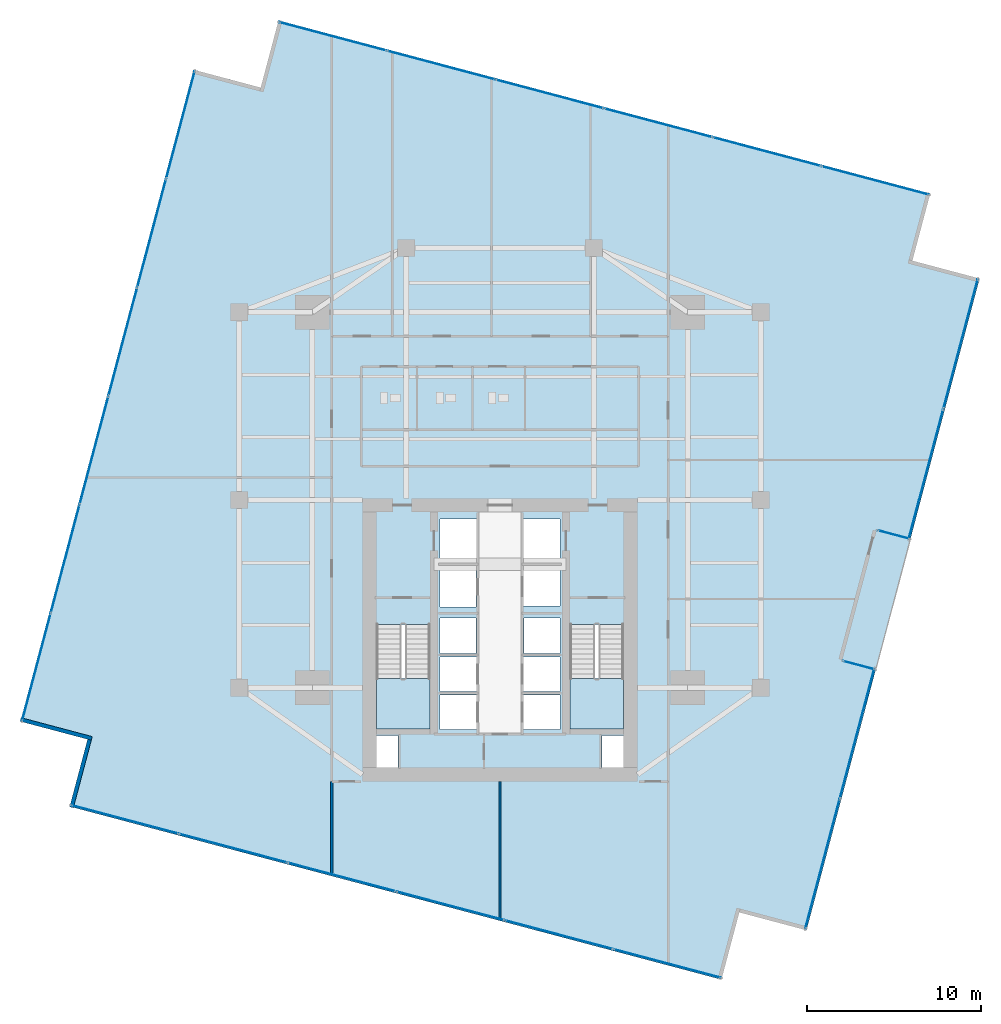
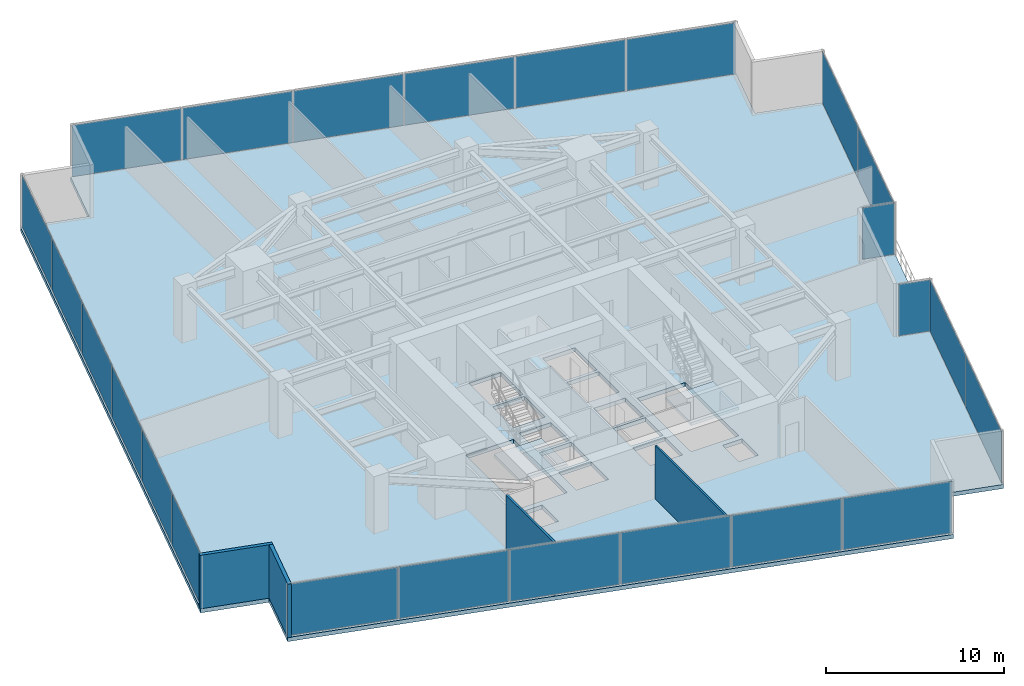
# One storey, part 22 of 27: 24 plates, 4 walls, 3 slabs, 9 elements without a shape of their own.
"""IFC4 building model written with IfcOpenShell, lengths in metres."""

from ifc_helpers import new_model, si_unit, direction, frame, frame_2d, origin, origin_2d, place, context, subcontext, project, spatial, polyline, rectangle, outline, extrude, source, transform, mapped, material, layer, layer_set, type_object, type_shapes, element, aggregate, save


model = new_model("IFC4")

# Units and contexts
model_context = context("Model", 3, precision=1e-05, world=origin(), true_north=direction((0.0, 1.0)))
body_context = subcontext(model_context, "Body", "Model", "MODEL_VIEW")
ifc_project = project(units=[si_unit("LENGTHUNIT", "METRE"), si_unit("AREAUNIT", "SQUARE_METRE"), si_unit("VOLUMEUNIT", "CUBIC_METRE"), si_unit("PLANEANGLEUNIT", "RADIAN"), si_unit("MASSUNIT", "GRAM", prefix="KILO")], contexts=[model_context])

# Site, building, storey
site_placement = place(None, origin())
site = spatial("IfcSite", under=ifc_project, at=site_placement, CompositionType="ELEMENT")
building_placement = place(site_placement, origin())
building = spatial("IfcBuilding", under=site, at=building_placement, Name="Krantzveldt Concourse Tower", CompositionType="ELEMENT")
storey_placement = place(building_placement, frame((0.0, 0.0, 101.89990234375)))
storey = spatial("IfcBuildingStorey", under=building, at=storey_placement, Name="L24", CompositionType="ELEMENT", Elevation=101.89990234375)

# Stair, slab
ifc_material_1 = material(Name="Precast concrete C40/50", Category="concrete")
stair_type = type_object("IfcStairType", Name="STR-CORE-DOGLEG", PredefinedType="HALF_TURN_STAIR", material=ifc_material_1)
stair_1_placement = place(storey_placement, origin())
stair_1 = element("IfcStair", 1, at=stair_1_placement, inside=storey, type_object=stair_type, Name="L24 Protected Escape Stair ST-1", PredefinedType="HALF_TURN_STAIR")
ifc_layer_1 = layer(ifc_material_1, 0.199951171875, Name="Precast concrete C40/50", Category="concrete")
ifc_layer_set_1 = layer_set([ifc_layer_1], Name="Precast concrete C40/50 (SL-LANDING-200)")
slab_type_1 = type_object("IfcSlabType", Name="SL-LANDING-200", PredefinedType="LANDING", material=ifc_layer_set_1)
slab_1_placement = place(storey_placement, frame((0.0, 0.0, 1.775146484375)))
slab_1 = element("IfcSlab", 2, at=slab_1_placement, type_object=slab_type_1, Name="ST-1 landing 1", PredefinedType="LANDING", context=body_context, shape_type="SweptSolid", body=[
    extrude(outline(polyline([(28.8798828125, 16.4150390625), (28.8798828125, 13.52001953125), (31.97998046875, 13.52001953125), (31.97998046875, 16.4150390625), (28.8798828125, 16.4150390625)])), origin(), (0.0, 0.0, 1.0), 0.199951171875),
])
aggregate(stair_1, [slab_1])

stair_2_placement = place(storey_placement, origin())
stair_2 = element("IfcStair", 3, at=stair_2_placement, inside=storey, type_object=stair_type, Name="L24 Protected Escape Stair ST-2", PredefinedType="HALF_TURN_STAIR")
slab_2_placement = place(storey_placement, frame((0.0, 0.0, 1.775146484375)))
slab_2 = element("IfcSlab", 4, at=slab_2_placement, type_object=slab_type_1, Name="ST-2 landing 1", PredefinedType="LANDING", context=body_context, shape_type="SweptSolid", body=[
    extrude(outline(polyline([(40.02001953125, 16.4150390625), (40.02001953125, 13.52001953125), (43.1201171875, 13.52001953125), (43.1201171875, 16.4150390625), (40.02001953125, 16.4150390625)])), origin(), (0.0, 0.0, 1.0), 0.199951171875),
])
aggregate(stair_2, [slab_2])

# Slab
ifc_material_2 = material(Name="Concrete C40/50", Category="concrete")
ifc_layer_2 = layer(ifc_material_2, 0.280029296875, Name="Concrete C40/50", Category="concrete")
ifc_layer_set_2 = layer_set([ifc_layer_2], Name="Concrete C40/50 (SL-SL-TER280)")
slab_type_2 = type_object("IfcSlabType", Name="SL-SL-TER280", PredefinedType="FLOOR", material=ifc_layer_set_2)
slab_3_placement = place(storey_placement, frame((0.0, 0.0, -0.27978515625)))
element("IfcSlab", 5, at=slab_3_placement, inside=storey, type_object=slab_type_2, Name="SL-L24-MAIN", PredefinedType="FLOOR", context=body_context, shape_type="SweptSolid", body=[
    extrude(outline(polyline([(22.230224609375, 50.43017578125), (18.3642578125, 51.45703125), (8.404052734375, 13.957275390625), (12.27001953125, 12.930419921875), (11.2431640625, 9.064453125), (48.742919921875, -0.89599609375), (49.769775390625, 2.969970703125), (53.6357421875, 1.943115234375), (63.595947265625, 39.44287109375), (59.72998046875, 40.4697265625), (60.7568359375, 44.335693359375), (23.257080078125, 54.2958984375), (22.230224609375, 50.43017578125)]), holes=[polyline([(28.8798828125, 19.547607421875), (28.8798828125, 13.52001953125), (31.97998046875, 13.52001953125), (31.97998046875, 19.547607421875), (28.8798828125, 19.547607421875)]), polyline([(40.02001953125, 19.547607421875), (40.02001953125, 13.52001953125), (43.1201171875, 13.52001953125), (43.1201171875, 19.547607421875), (40.02001953125, 19.547607421875)]), polyline([(32.550048828125, 23.10009765625), (34.64990234375, 23.10009765625), (34.64990234375, 25.60009765625), (32.550048828125, 25.60009765625), (32.550048828125, 23.10009765625)]), polyline([(37.35009765625, 23.10009765625), (39.449951171875, 23.10009765625), (39.449951171875, 25.60009765625), (37.35009765625, 25.60009765625), (37.35009765625, 23.10009765625)]), polyline([(37.35009765625, 20.60009765625), (39.449951171875, 20.60009765625), (39.449951171875, 22.89990234375), (37.35009765625, 22.89990234375), (37.35009765625, 20.60009765625)]), polyline([(32.550048828125, 13.47998046875), (34.64990234375, 13.47998046875), (34.64990234375, 15.47998046875), (32.550048828125, 15.47998046875), (32.550048828125, 13.47998046875)]), polyline([(32.550048828125, 15.679931640625), (34.64990234375, 15.679931640625), (34.64990234375, 17.679931640625), (32.550048828125, 17.679931640625), (32.550048828125, 15.679931640625)]), polyline([(37.35009765625, 13.47998046875), (39.449951171875, 13.47998046875), (39.449951171875, 15.47998046875), (37.35009765625, 15.47998046875), (37.35009765625, 13.47998046875)]), polyline([(37.35009765625, 15.679931640625), (39.449951171875, 15.679931640625), (39.449951171875, 17.679931640625), (37.35009765625, 17.679931640625), (37.35009765625, 15.679931640625)]), polyline([(32.550048828125, 20.550048828125), (34.6201171875, 20.550048828125), (34.6201171875, 22.89990234375), (32.550048828125, 22.89990234375), (32.550048828125, 20.550048828125)]), polyline([(32.550048828125, 17.8798828125), (34.6201171875, 17.8798828125), (34.6201171875, 19.919921875), (32.550048828125, 19.919921875), (32.550048828125, 17.8798828125)]), polyline([(37.3798828125, 17.8798828125), (39.449951171875, 17.8798828125), (39.449951171875, 19.919921875), (37.3798828125, 19.919921875), (37.3798828125, 17.8798828125)]), polyline([(28.8798828125, 11.320068359375), (30.139892578125, 11.320068359375), (30.139892578125, 13.159912109375), (28.8798828125, 13.159912109375), (28.8798828125, 11.320068359375)]), polyline([(41.860107421875, 11.320068359375), (43.1201171875, 11.320068359375), (43.1201171875, 13.159912109375), (41.860107421875, 13.159912109375), (41.860107421875, 11.320068359375)])]), origin(), (0.0, 0.0, 1.0), 0.27978515625),
])

# Curtain wall, plate
ifc_material_3 = material(Name="Anodised aluminium 6063-T6", Category="aluminium")
curtain_wall_type_1 = type_object("IfcCurtainWallType", Name="CW6", PredefinedType="USERDEFINED", material=ifc_material_3)
curtain_wall_1_placement = place(storey_placement, origin())
curtain_wall_1 = element("IfcCurtainWall", 6, at=curtain_wall_1_placement, inside=storey, type_object=curtain_wall_type_1, Name="CW-L24-TR08", ObjectType="UNITISED CURTAIN WALL", PredefinedType="USERDEFINED")
ifc_material_4 = material(Name="Bronze-tinted laminated low-E IGU glass", Category="glass")
ifc_layer_3 = layer(ifc_material_4, 0.031982421875, Name="Bronze-tinted laminated low-E IGU glass", Category="glass")
ifc_layer_set_3 = layer_set([ifc_layer_3], Name="Bronze-tinted laminated low-E IGU glass (CW-GLZ-32)")
plate_type = type_object("IfcPlateType", Name="CW-GLZ-32", PredefinedType="CURTAIN_PANEL", material=ifc_layer_set_3)
shared_shape_1 = source(origin(), body_context, "Body", "SweptSolid", [
    extrude(rectangle(XDim=1.860107421875, YDim=0.031982421875, at=origin_2d()), origin(), (0.0, 0.0, 1.0), 3.530029296875),
])
plate_1_placement = place(storey_placement, frame((56.650634765625, 17.18994140625, 0.0703125), z_axis=(0.0, 0.0, 1.0), x_axis=(-0.96648733669, 0.256714292587, 0.0)))
plate_1 = element("IfcPlate", 7, at=plate_1_placement, type_object=plate_type, Name="CW-TERR panel 1.1", PredefinedType="CURTAIN_PANEL", context=body_context, shape_type="MappedRepresentation", body=[
    mapped(shared_shape_1, transform((0.0, 0.0, 0.0), x_axis=(1.0, 0.0, 0.0), y_axis=(0.0, 1.0, 0.0), z_axis=(0.0, 0.0, 1.0), scale=1.0)),
])
aggregate(curtain_wall_1, [plate_1])

curtain_wall_2_placement = place(storey_placement, origin())
curtain_wall_2 = element("IfcCurtainWall", 8, at=curtain_wall_2_placement, inside=storey, type_object=curtain_wall_type_1, Name="CW-L24-TR10", ObjectType="UNITISED CURTAIN WALL", PredefinedType="USERDEFINED")
plate_2_placement = place(storey_placement, frame((58.64794921875, 24.709228515625, 0.0703125), z_axis=(0.0, 0.0, 1.0), x_axis=(0.966488577233, -0.256709622099, 0.0)))
plate_2 = element("IfcPlate", 9, at=plate_2_placement, type_object=plate_type, Name="CW-TERR panel 1.1", PredefinedType="CURTAIN_PANEL", context=body_context, shape_type="MappedRepresentation", body=[
    mapped(shared_shape_1, transform((0.0, 0.0, 0.0), x_axis=(1.0, 0.0, 0.0), y_axis=(0.0, 1.0, 0.0), z_axis=(0.0, 0.0, 1.0), scale=1.0)),
])
aggregate(curtain_wall_2, [plate_2])

# Curtain wall, plates
curtain_wall_type_2 = type_object("IfcCurtainWallType", Name="CW2", PredefinedType="USERDEFINED", material=ifc_material_3)
curtain_wall_3_placement = place(storey_placement, origin())
curtain_wall_3 = element("IfcCurtainWall", 10, at=curtain_wall_3_placement, inside=storey, type_object=curtain_wall_type_2, Name="CW-L24-F01", ObjectType="UNITISED CURTAIN WALL", PredefinedType="USERDEFINED")
shared_shape_2 = source(origin(), body_context, "Body", "SweptSolid", [
    extrude(rectangle(XDim=6.361572265625, YDim=0.031982421875, at=origin_2d()), origin(), (0.0, 0.0, 1.0), 3.530029296875),
])
plate_3_placement = place(storey_placement, frame((17.616943359375, 48.2919921875, 0.0703125), z_axis=(0.0, 0.0, 1.0), x_axis=(-0.256711093648, -0.966488186373, 0.0)))
plate_3 = element("IfcPlate", 11, at=plate_3_placement, type_object=plate_type, Name="CW-Z12 panel 1.1", PredefinedType="CURTAIN_PANEL", context=body_context, shape_type="MappedRepresentation", body=[
    mapped(shared_shape_2, transform((0.0, 0.0, 0.0), x_axis=(1.0, 0.0, 0.0), y_axis=(0.0, 1.0, 0.0), z_axis=(0.0, 0.0, 1.0), scale=1.0)),
])
plate_4_placement = place(storey_placement, frame((9.325439453125, 17.075927734375, 0.0703125), z_axis=(0.0, 0.0, 1.0), x_axis=(-0.256711093648, -0.966488186373, 0.0)))
plate_4 = element("IfcPlate", 12, at=plate_4_placement, type_object=plate_type, Name="CW-Z12 panel 6.1", PredefinedType="CURTAIN_PANEL", context=body_context, shape_type="MappedRepresentation", body=[
    mapped(shared_shape_2, transform((0.0, 0.0, 0.0), x_axis=(1.0, 0.0, 0.0), y_axis=(0.0, 1.0, 0.0), z_axis=(0.0, 0.0, 1.0), scale=1.0)),
])

curtain_wall_4_placement = place(storey_placement, origin())
curtain_wall_4 = element("IfcCurtainWall", 13, at=curtain_wall_4_placement, inside=storey, type_object=curtain_wall_type_2, Name="CW-L24-F04", ObjectType="UNITISED CURTAIN WALL", PredefinedType="USERDEFINED")
plate_5_placement = place(storey_placement, frame((14.408203125, 8.31689453125, 0.0703125), z_axis=(0.0, 0.0, 1.0), x_axis=(0.966488186373, -0.256711093648, 0.0)))
plate_5 = element("IfcPlate", 14, at=plate_5_placement, type_object=plate_type, Name="CW-Z12 panel 1.1", PredefinedType="CURTAIN_PANEL", context=body_context, shape_type="MappedRepresentation", body=[
    mapped(shared_shape_2, transform((0.0, 0.0, 0.0), x_axis=(1.0, 0.0, 0.0), y_axis=(0.0, 1.0, 0.0), z_axis=(0.0, 0.0, 1.0), scale=1.0)),
])
plate_6_placement = place(storey_placement, frame((45.6240234375, 0.025390625, 0.0703125), z_axis=(0.0, 0.0, 1.0), x_axis=(0.966488186373, -0.256711093648, 0.0)))
plate_6 = element("IfcPlate", 15, at=plate_6_placement, type_object=plate_type, Name="CW-Z12 panel 6.1", PredefinedType="CURTAIN_PANEL", context=body_context, shape_type="MappedRepresentation", body=[
    mapped(shared_shape_2, transform((0.0, 0.0, 0.0), x_axis=(1.0, 0.0, 0.0), y_axis=(0.0, 1.0, 0.0), z_axis=(0.0, 0.0, 1.0), scale=1.0)),
])

curtain_wall_5_placement = place(storey_placement, origin())
curtain_wall_5 = element("IfcCurtainWall", 16, at=curtain_wall_5_placement, inside=storey, type_object=curtain_wall_type_2, Name="CW-L24-F14", ObjectType="UNITISED CURTAIN WALL", PredefinedType="USERDEFINED")
plate_7_placement = place(storey_placement, frame((57.591796875, 45.083251953125, 0.0703125), z_axis=(0.0, 0.0, 1.0), x_axis=(-0.966488186373, 0.256711093648, 0.0)))
plate_7 = element("IfcPlate", 17, at=plate_7_placement, type_object=plate_type, Name="CW-Z12 panel 1.1", PredefinedType="CURTAIN_PANEL", context=body_context, shape_type="MappedRepresentation", body=[
    mapped(shared_shape_2, transform((0.0, 0.0, 0.0), x_axis=(1.0, 0.0, 0.0), y_axis=(0.0, 1.0, 0.0), z_axis=(0.0, 0.0, 1.0), scale=1.0)),
])
plate_8_placement = place(storey_placement, frame((26.3759765625, 53.37451171875, 0.0703125), z_axis=(0.0, 0.0, 1.0), x_axis=(-0.966488186373, 0.256711093648, 0.0)))
plate_8 = element("IfcPlate", 18, at=plate_8_placement, type_object=plate_type, Name="CW-Z12 panel 6.1", PredefinedType="CURTAIN_PANEL", context=body_context, shape_type="MappedRepresentation", body=[
    mapped(shared_shape_2, transform((0.0, 0.0, 0.0), x_axis=(1.0, 0.0, 0.0), y_axis=(0.0, 1.0, 0.0), z_axis=(0.0, 0.0, 1.0), scale=1.0)),
])

# Plate
shared_shape_3 = source(origin(), body_context, "Body", "SweptSolid", [
    extrude(rectangle(XDim=6.396728515625, YDim=0.031982421875, at=origin_2d()), origin(), (0.0, 0.0, 1.0), 3.530029296875),
])
plate_9_placement = place(storey_placement, frame((15.961181640625, 42.058837890625, 0.0703125), z_axis=(0.0, 0.0, 1.0), x_axis=(-0.256711093648, -0.966488186373, 0.0)))
plate_9 = element("IfcPlate", 19, at=plate_9_placement, type_object=plate_type, Name="CW-Z12 panel 2.1", PredefinedType="CURTAIN_PANEL", context=body_context, shape_type="MappedRepresentation", body=[
    mapped(shared_shape_3, transform((0.0, 0.0, 0.0), x_axis=(1.0, 0.0, 0.0), y_axis=(0.0, 1.0, 0.0), z_axis=(0.0, 0.0, 1.0), scale=1.0)),
])

plate_10_placement = place(storey_placement, frame((14.30126953125, 35.808837890625, 0.0703125), z_axis=(0.0, 0.0, 1.0), x_axis=(-0.256711093648, -0.966488186373, 0.0)))
plate_10 = element("IfcPlate", 20, at=plate_10_placement, type_object=plate_type, Name="CW-Z12 panel 3.1", PredefinedType="CURTAIN_PANEL", context=body_context, shape_type="MappedRepresentation", body=[
    mapped(shared_shape_3, transform((0.0, 0.0, 0.0), x_axis=(1.0, 0.0, 0.0), y_axis=(0.0, 1.0, 0.0), z_axis=(0.0, 0.0, 1.0), scale=1.0)),
])

plate_11_placement = place(storey_placement, frame((12.64111328125, 29.55908203125, 0.0703125), z_axis=(0.0, 0.0, 1.0), x_axis=(-0.256711093648, -0.966488186373, 0.0)))
plate_11 = element("IfcPlate", 21, at=plate_11_placement, type_object=plate_type, Name="CW-Z12 panel 4.1", PredefinedType="CURTAIN_PANEL", context=body_context, shape_type="MappedRepresentation", body=[
    mapped(shared_shape_3, transform((0.0, 0.0, 0.0), x_axis=(1.0, 0.0, 0.0), y_axis=(0.0, 1.0, 0.0), z_axis=(0.0, 0.0, 1.0), scale=1.0)),
])

plate_12_placement = place(storey_placement, frame((10.98095703125, 23.30908203125, 0.0703125), z_axis=(0.0, 0.0, 1.0), x_axis=(-0.256711093648, -0.966488186373, 0.0)))
plate_12 = element("IfcPlate", 22, at=plate_12_placement, type_object=plate_type, Name="CW-Z12 panel 5.1", PredefinedType="CURTAIN_PANEL", context=body_context, shape_type="MappedRepresentation", body=[
    mapped(shared_shape_3, transform((0.0, 0.0, 0.0), x_axis=(1.0, 0.0, 0.0), y_axis=(0.0, 1.0, 0.0), z_axis=(0.0, 0.0, 1.0), scale=1.0)),
])

aggregate(curtain_wall_3, [plate_3, plate_9, plate_10, plate_11, plate_12, plate_4])

plate_13_placement = place(storey_placement, frame((20.64111328125, 6.6611328125, 0.0703125), z_axis=(0.0, 0.0, 1.0), x_axis=(0.966488186373, -0.256711093648, 0.0)))
plate_13 = element("IfcPlate", 23, at=plate_13_placement, type_object=plate_type, Name="CW-Z12 panel 2.1", PredefinedType="CURTAIN_PANEL", context=body_context, shape_type="MappedRepresentation", body=[
    mapped(shared_shape_3, transform((0.0, 0.0, 0.0), x_axis=(1.0, 0.0, 0.0), y_axis=(0.0, 1.0, 0.0), z_axis=(0.0, 0.0, 1.0), scale=1.0)),
])

plate_14_placement = place(storey_placement, frame((26.89111328125, 5.001220703125, 0.0703125), z_axis=(0.0, 0.0, 1.0), x_axis=(0.966488186373, -0.256711093648, 0.0)))
plate_14 = element("IfcPlate", 24, at=plate_14_placement, type_object=plate_type, Name="CW-Z12 panel 3.1", PredefinedType="CURTAIN_PANEL", context=body_context, shape_type="MappedRepresentation", body=[
    mapped(shared_shape_3, transform((0.0, 0.0, 0.0), x_axis=(1.0, 0.0, 0.0), y_axis=(0.0, 1.0, 0.0), z_axis=(0.0, 0.0, 1.0), scale=1.0)),
])

plate_15_placement = place(storey_placement, frame((33.14111328125, 3.341064453125, 0.0703125), z_axis=(0.0, 0.0, 1.0), x_axis=(0.966488186373, -0.256711093648, 0.0)))
plate_15 = element("IfcPlate", 25, at=plate_15_placement, type_object=plate_type, Name="CW-Z12 panel 4.1", PredefinedType="CURTAIN_PANEL", context=body_context, shape_type="MappedRepresentation", body=[
    mapped(shared_shape_3, transform((0.0, 0.0, 0.0), x_axis=(1.0, 0.0, 0.0), y_axis=(0.0, 1.0, 0.0), z_axis=(0.0, 0.0, 1.0), scale=1.0)),
])

plate_16_placement = place(storey_placement, frame((39.39111328125, 1.68115234375, 0.0703125), z_axis=(0.0, 0.0, 1.0), x_axis=(0.966488186373, -0.256711093648, 0.0)))
plate_16 = element("IfcPlate", 26, at=plate_16_placement, type_object=plate_type, Name="CW-Z12 panel 5.1", PredefinedType="CURTAIN_PANEL", context=body_context, shape_type="MappedRepresentation", body=[
    mapped(shared_shape_3, transform((0.0, 0.0, 0.0), x_axis=(1.0, 0.0, 0.0), y_axis=(0.0, 1.0, 0.0), z_axis=(0.0, 0.0, 1.0), scale=1.0)),
])

aggregate(curtain_wall_4, [plate_5, plate_13, plate_14, plate_15, plate_16, plate_6])

plate_17_placement = place(storey_placement, frame((51.35888671875, 46.73876953125, 0.0703125), z_axis=(0.0, 0.0, 1.0), x_axis=(-0.966488186373, 0.256711093648, 0.0)))
plate_17 = element("IfcPlate", 27, at=plate_17_placement, type_object=plate_type, Name="CW-Z12 panel 2.1", PredefinedType="CURTAIN_PANEL", context=body_context, shape_type="MappedRepresentation", body=[
    mapped(shared_shape_3, transform((0.0, 0.0, 0.0), x_axis=(1.0, 0.0, 0.0), y_axis=(0.0, 1.0, 0.0), z_axis=(0.0, 0.0, 1.0), scale=1.0)),
])

plate_18_placement = place(storey_placement, frame((45.10888671875, 48.39892578125, 0.0703125), z_axis=(0.0, 0.0, 1.0), x_axis=(-0.966488186373, 0.256711093648, 0.0)))
plate_18 = element("IfcPlate", 28, at=plate_18_placement, type_object=plate_type, Name="CW-Z12 panel 3.1", PredefinedType="CURTAIN_PANEL", context=body_context, shape_type="MappedRepresentation", body=[
    mapped(shared_shape_3, transform((0.0, 0.0, 0.0), x_axis=(1.0, 0.0, 0.0), y_axis=(0.0, 1.0, 0.0), z_axis=(0.0, 0.0, 1.0), scale=1.0)),
])

plate_19_placement = place(storey_placement, frame((38.85888671875, 50.058837890625, 0.0703125), z_axis=(0.0, 0.0, 1.0), x_axis=(-0.966488186373, 0.256711093648, 0.0)))
plate_19 = element("IfcPlate", 29, at=plate_19_placement, type_object=plate_type, Name="CW-Z12 panel 4.1", PredefinedType="CURTAIN_PANEL", context=body_context, shape_type="MappedRepresentation", body=[
    mapped(shared_shape_3, transform((0.0, 0.0, 0.0), x_axis=(1.0, 0.0, 0.0), y_axis=(0.0, 1.0, 0.0), z_axis=(0.0, 0.0, 1.0), scale=1.0)),
])

plate_20_placement = place(storey_placement, frame((32.60888671875, 51.718994140625, 0.0703125), z_axis=(0.0, 0.0, 1.0), x_axis=(-0.966488186373, 0.256711093648, 0.0)))
plate_20 = element("IfcPlate", 30, at=plate_20_placement, type_object=plate_type, Name="CW-Z12 panel 5.1", PredefinedType="CURTAIN_PANEL", context=body_context, shape_type="MappedRepresentation", body=[
    mapped(shared_shape_3, transform((0.0, 0.0, 0.0), x_axis=(1.0, 0.0, 0.0), y_axis=(0.0, 1.0, 0.0), z_axis=(0.0, 0.0, 1.0), scale=1.0)),
])

aggregate(curtain_wall_5, [plate_7, plate_17, plate_18, plate_19, plate_20, plate_8])

# Curtain wall, plates
curtain_wall_6_placement = place(storey_placement, origin())
curtain_wall_6 = element("IfcCurtainWall", 31, at=curtain_wall_6_placement, inside=storey, type_object=curtain_wall_type_2, Name="CW-L24-F07", ObjectType="UNITISED CURTAIN WALL", PredefinedType="USERDEFINED")
shared_shape_4 = source(origin(), body_context, "Body", "SweptSolid", [
    extrude(rectangle(XDim=7.695068359375, YDim=0.031982421875, at=origin_2d()), origin(), (0.0, 0.0, 1.0), 3.530029296875),
])
type_shapes(plate_type, [shared_shape_1, shared_shape_2, shared_shape_3, shared_shape_4])
plate_21_placement = place(storey_placement, frame((54.55419921875, 5.75244140625, 0.0703125), z_axis=(0.0, 0.0, 1.0), x_axis=(0.256711001141, 0.966488210944, 0.0)))
plate_21 = element("IfcPlate", 32, at=plate_21_placement, type_object=plate_type, Name="CW-Z12 panel 1.1", PredefinedType="CURTAIN_PANEL", context=body_context, shape_type="MappedRepresentation", body=[
    mapped(shared_shape_4, transform((0.0, 0.0, 0.0), x_axis=(1.0, 0.0, 0.0), y_axis=(0.0, 1.0, 0.0), z_axis=(0.0, 0.0, 1.0), scale=1.0)),
])
plate_22_placement = place(storey_placement, frame((56.547607421875, 13.257080078125, 0.0703125), z_axis=(0.0, 0.0, 1.0), x_axis=(0.256711001141, 0.966488210944, 0.0)))
plate_22 = element("IfcPlate", 33, at=plate_22_placement, type_object=plate_type, Name="CW-Z12 panel 2.1", PredefinedType="CURTAIN_PANEL", context=body_context, shape_type="MappedRepresentation", body=[
    mapped(shared_shape_4, transform((0.0, 0.0, 0.0), x_axis=(1.0, 0.0, 0.0), y_axis=(0.0, 1.0, 0.0), z_axis=(0.0, 0.0, 1.0), scale=1.0)),
])
aggregate(curtain_wall_6, [plate_21, plate_22])

curtain_wall_7_placement = place(storey_placement, origin())
curtain_wall_7 = element("IfcCurtainWall", 34, at=curtain_wall_7_placement, inside=storey, type_object=curtain_wall_type_2, Name="CW-L24-F11", ObjectType="UNITISED CURTAIN WALL", PredefinedType="USERDEFINED")
plate_23_placement = place(storey_placement, frame((60.510009765625, 28.175048828125, 0.0703125), z_axis=(0.0, 0.0, 1.0), x_axis=(0.256711001141, 0.966488210944, 0.0)))
plate_23 = element("IfcPlate", 35, at=plate_23_placement, type_object=plate_type, Name="CW-Z12 panel 1.1", PredefinedType="CURTAIN_PANEL", context=body_context, shape_type="MappedRepresentation", body=[
    mapped(shared_shape_4, transform((0.0, 0.0, 0.0), x_axis=(1.0, 0.0, 0.0), y_axis=(0.0, 1.0, 0.0), z_axis=(0.0, 0.0, 1.0), scale=1.0)),
])
plate_24_placement = place(storey_placement, frame((62.50341796875, 35.6796875, 0.0703125), z_axis=(0.0, 0.0, 1.0), x_axis=(0.256711001141, 0.966488210944, 0.0)))
plate_24 = element("IfcPlate", 36, at=plate_24_placement, type_object=plate_type, Name="CW-Z12 panel 2.1", PredefinedType="CURTAIN_PANEL", context=body_context, shape_type="MappedRepresentation", body=[
    mapped(shared_shape_4, transform((0.0, 0.0, 0.0), x_axis=(1.0, 0.0, 0.0), y_axis=(0.0, 1.0, 0.0), z_axis=(0.0, 0.0, 1.0), scale=1.0)),
])
aggregate(curtain_wall_7, [plate_23, plate_24])

# Walls
ifc_layer_4 = layer(ifc_material_3, 0.219970703125, Name="Anodised aluminium 6063-T6", Category="aluminium")
ifc_layer_set_4 = layer_set([ifc_layer_4], Name="Anodised aluminium 6063-T6 (WL-EXT-NOTCH220)")
wall_type_1 = type_object("IfcWallType", Name="WL-EXT-NOTCH220", PredefinedType="ELEMENTEDWALL", material=ifc_layer_set_4)
wall_1_placement = place(storey_placement, frame((8.407958984375, 14.06982421875, 0.0), z_axis=(0.0, 0.0, 1.0), x_axis=(0.966496943173, -0.256678123022, 0.0)))
element("IfcWall", 37, at=wall_1_placement, inside=storey, type_object=wall_type_1, Name="EW-L24-NCH02", PredefinedType="ELEMENTEDWALL", context=body_context, shape_type="SweptSolid", body=[
    extrude(rectangle(XDim=4.2451171875, YDim=0.219970703125, at=frame_2d((2.12255859375, 0.0))), origin(), (0.0, 0.0, 1.0), 3.670166015625),
])
wall_2_placement = place(storey_placement, frame((12.376220703125, 12.902099609375, 0.0), z_axis=(0.0, 0.0, 1.0), x_axis=(-0.256696053144, -0.966492181189, 0.0)))
element("IfcWall", 38, at=wall_2_placement, inside=storey, type_object=wall_type_1, Name="EW-L24-NCH03", PredefinedType="ELEMENTEDWALL", context=body_context, shape_type="SweptSolid", body=[
    extrude(rectangle(XDim=4.02490234375, YDim=0.219970703125, at=frame_2d((2.012451171875, 0.0))), origin(), (0.0, 0.0, 1.0), 3.670166015625),
])
ifc_material_5 = material(Name="Fire-rated gypsum plasterboard on steel stud", Category="steel")
ifc_layer_5 = layer(ifc_material_5, 0.1201171875, Name="Fire-rated gypsum plasterboard on steel stud", Category="steel")
ifc_layer_set_5 = layer_set([ifc_layer_5], Name="Fire-rated gypsum plasterboard on steel stud (WL-PART-120)")
wall_type_2 = type_object("IfcWallType", Name="WL-PART-120", PredefinedType="PARTITIONING", material=ifc_layer_set_5)
wall_3_placement = place(storey_placement, frame((36.0, 2.581787109375, 0.0), z_axis=(0.0, 0.0, 1.0), x_axis=(0.0, 1.0, 0.0)))
element("IfcWall", 39, at=wall_3_placement, inside=storey, type_object=wall_type_2, Name="WP-L24-SMD", PredefinedType="PARTITIONING", context=body_context, shape_type="SweptSolid", body=[
    extrude(rectangle(XDim=7.918212890625, YDim=0.1201171875, at=frame_2d((3.958984375, 0.0))), origin(), (0.0, 0.0, 1.0), 3.670166015625),
])
ifc_layer_6 = layer(ifc_material_5, 0.139892578125, Name="Fire-rated gypsum plasterboard on steel stud", Category="steel")
ifc_layer_set_6 = layer_set([ifc_layer_6], Name="Fire-rated gypsum plasterboard on steel stud (WL-PART-140)")
wall_type_3 = type_object("IfcWallType", Name="WL-PART-140", PredefinedType="PARTITIONING", material=ifc_layer_set_6)
wall_4_placement = place(storey_placement, frame((26.320068359375, 5.15283203125, 0.0), z_axis=(0.0, 0.0, 1.0), x_axis=(0.0, 1.0, 0.0)))
element("IfcWall", 40, at=wall_4_placement, inside=storey, type_object=wall_type_3, Name="WP-L24-SWL", PredefinedType="PARTITIONING", context=body_context, shape_type="SweptSolid", body=[
    extrude(rectangle(XDim=5.34716796875, YDim=0.139892578125, at=frame_2d((2.673583984375, 0.0))), origin(), (0.0, 0.0, 1.0), 3.670166015625),
])

save(model, "model.ifc")
